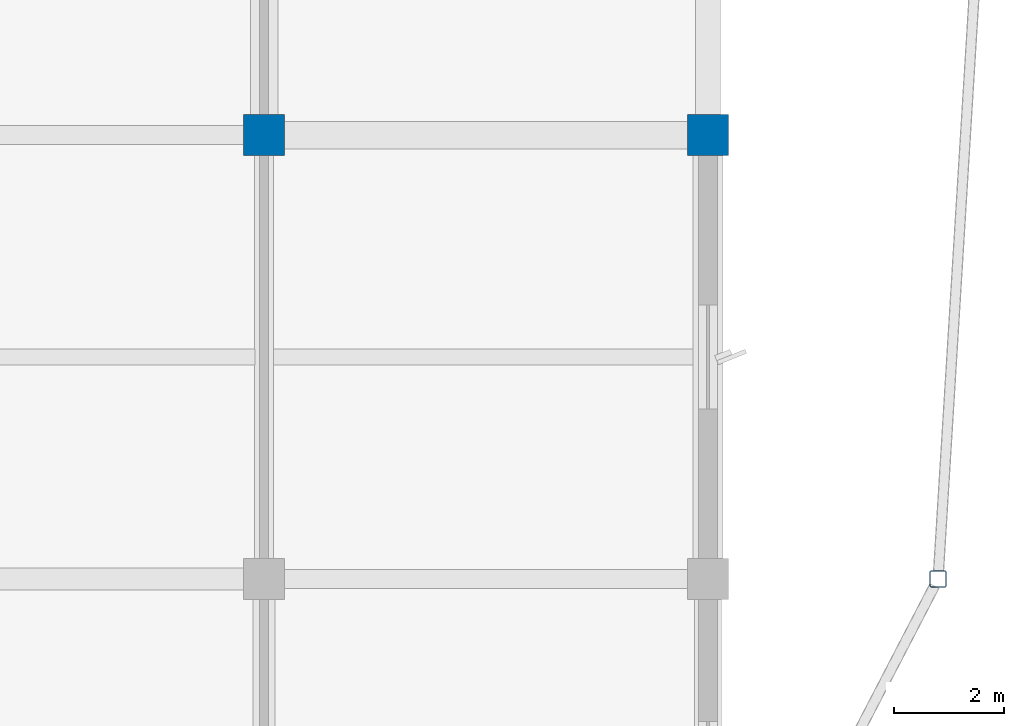
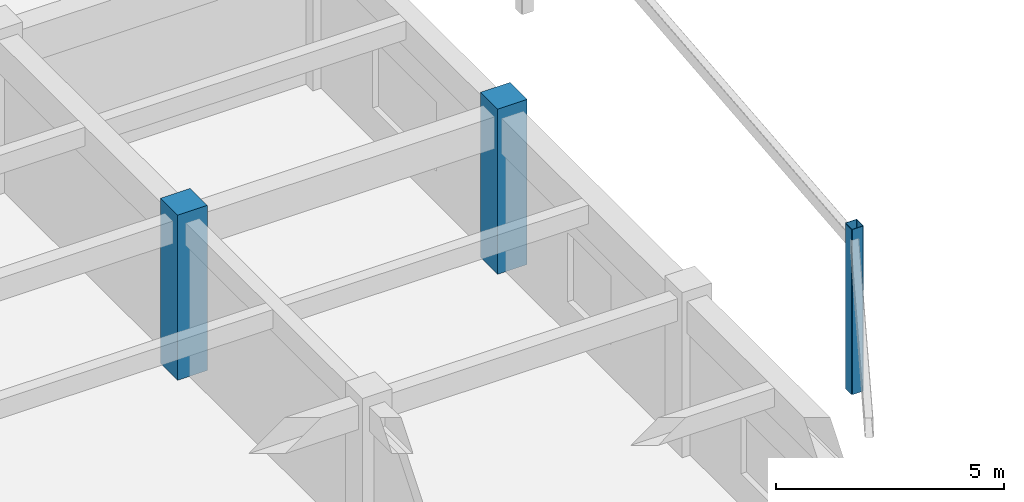
# One storey, part 14 of 89: 3 columns.
"""IFC4 building model written with IfcOpenShell, lengths in metres."""

from ifc_helpers import new_model, si_unit, direction, frame, origin, origin_2d, place, context, subcontext, project, spatial, rectangle, hollow_rectangle, extrude, material, material_profile, profile_set, type_object, element, save


model = new_model("IFC4")

# Units and contexts
model_context = context("Model", 3, precision=1e-05, world=origin(), true_north=direction((0.0, 1.0)))
body_context = subcontext(model_context, "Body", "Model", "MODEL_VIEW")
ifc_project = project(units=[si_unit("LENGTHUNIT", "METRE"), si_unit("AREAUNIT", "SQUARE_METRE"), si_unit("VOLUMEUNIT", "CUBIC_METRE"), si_unit("PLANEANGLEUNIT", "RADIAN"), si_unit("MASSUNIT", "GRAM", prefix="KILO")], contexts=[model_context])

# Site, building, storey
site_placement = place(None, origin())
site = spatial("IfcSite", under=ifc_project, at=site_placement, CompositionType="ELEMENT")
building_placement = place(site_placement, origin())
building = spatial("IfcBuilding", under=site, at=building_placement, Name="Vaudrelin Polytechnic", CompositionType="ELEMENT")
storey_placement = place(building_placement, frame((0.0, 0.0, 9.68994140625)))
storey = spatial("IfcBuildingStorey", under=building, at=storey_placement, Name="L02", CompositionType="ELEMENT", Elevation=9.68994140625)

# Columns
ifc_material_1 = material(Name="Steel CSA G40.21 350WT", Category="steel")
ifc_material_profile_1 = material_profile(ifc_material_1, hollow_rectangle(XDim=0.304931640625, YDim=0.304931640625, WallThickness=0.0126953125, InnerFilletRadius=0.0126953125, OuterFilletRadius=0.025390625, at=origin_2d()), Name="HSS305x305x12.7")
ifc_profile_set_1 = profile_set([ifc_material_profile_1], Name="Steel CSA G40.21 350WT")
column_type_1 = type_object("IfcColumnType", Name="COL-C-HSS305", PredefinedType="COLUMN", material=ifc_profile_set_1)
column_placement = place(storey_placement, frame((174.300048828125, 72.89990234375, 0.0), z_axis=(0.0, 0.0, 1.0), x_axis=(1.0, 0.0, 0.0)))
element("IfcColumn", 1, at=column_placement, inside=storey, type_object=column_type_1, Name="Deconstructivist column L02 E_OR2_1", PredefinedType="COLUMN", context=body_context, shape_type="SweptSolid", body=[
    extrude(hollow_rectangle(XDim=0.304931640625, YDim=0.304931640625, WallThickness=0.0126953125, InnerFilletRadius=0.0126953125, OuterFilletRadius=0.025390625, at=origin_2d()), origin(), (0.0, 0.0, 1.0), 4.420166015625),
])
ifc_material_2 = material(Name="Concrete 50 MPa", Category="concrete")
ifc_material_profile_2 = material_profile(ifc_material_2, rectangle(XDim=0.75, YDim=0.75, at=origin_2d()), Name="RC750x750")
ifc_profile_set_2 = profile_set([ifc_material_profile_2], Name="Concrete 50 MPa")
column_type_2 = type_object("IfcColumnType", Name="COL-C-RC750", PredefinedType="COLUMN", material=ifc_profile_set_2)
for number, where, z_axis, x_axis, name in (
    (2, (162.0, 81.0, 0.0), (0.0, 0.0, 1.0), (1.0, 0.0, 0.0), "Column L02 21-11"),
    (3, (170.10009765625, 81.0, 0.0), (0.0, 0.0, 1.0), (1.0, 0.0, 0.0), "Column L02 22-11"),
):
    element("IfcColumn", number, at=place(storey_placement, frame(where, z_axis=z_axis, x_axis=x_axis)), inside=storey, type_object=column_type_2, Name=name, PredefinedType="COLUMN", context=body_context, shape_type="SweptSolid", body=[
        extrude(rectangle(XDim=0.75, YDim=0.75, at=origin_2d()), origin(), (0.0, 0.0, 1.0), 4.420166015625),
    ])

save(model, "model.ifc")
